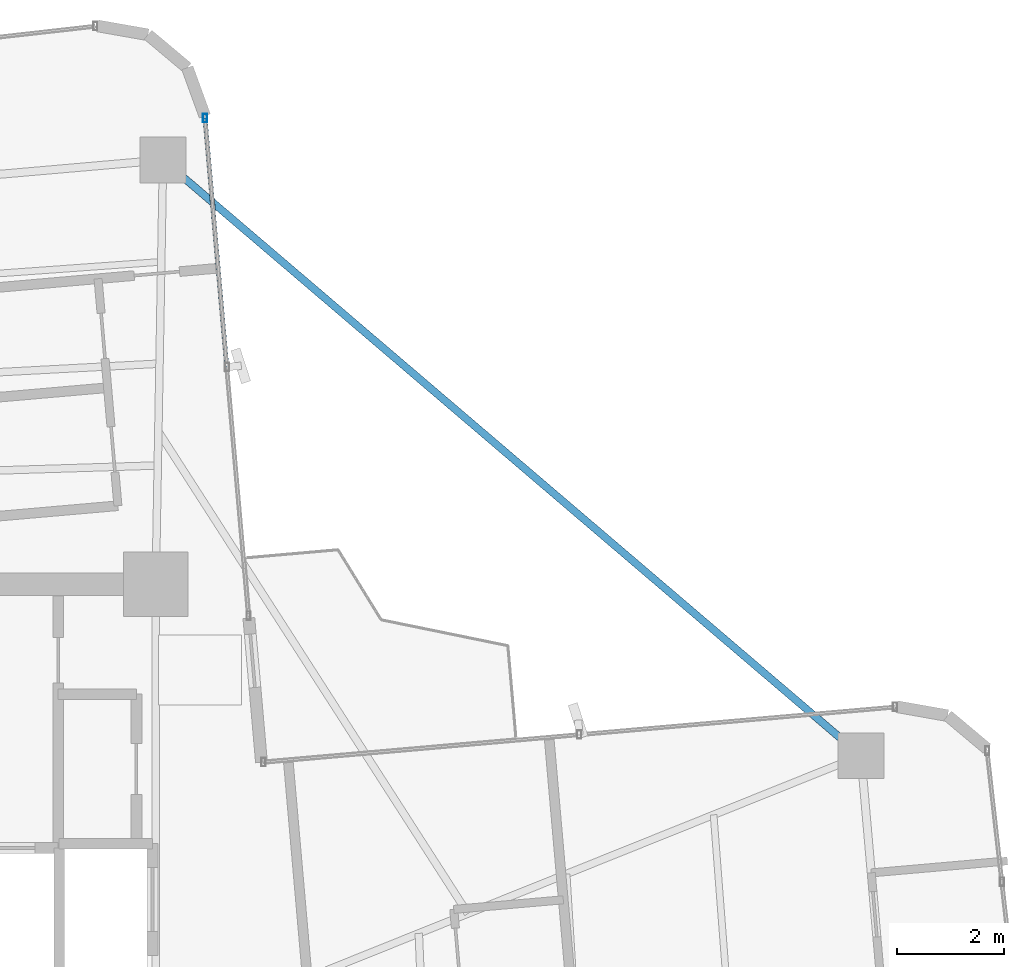
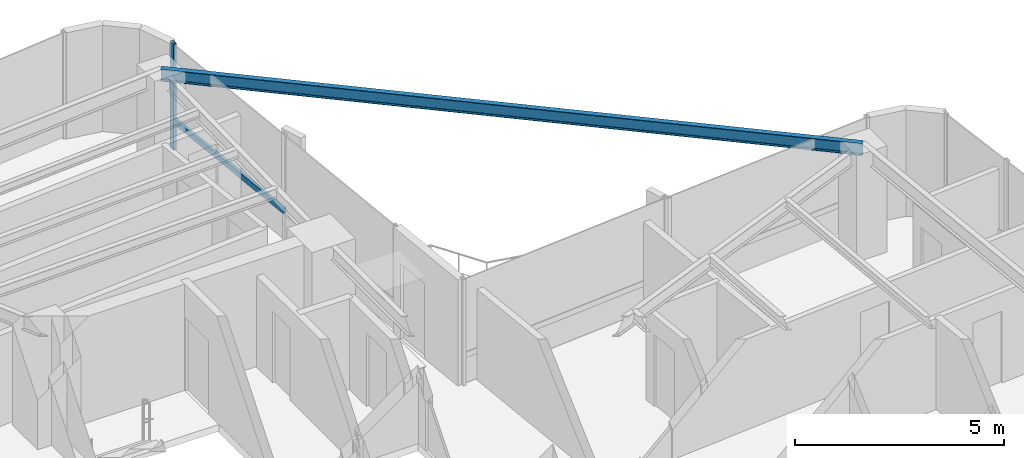
# One storey, part 17 of 24: 2 members, 1 beam, 1 element without a shape of its own.
"""IFC4 building model written with IfcOpenShell, lengths in metres."""

import ifcopenshell
import ifcopenshell.guid

model = None  # the IFC model being written
_history = None  # IfcOwnerHistory: only IFC2X3 demands one
_inside = {}  # id of a spatial element -> (the spatial element, [elements in it])
_under = {}  # id of a project, library or spatial element -> (it, [spatial elements below it])
_declared = {}  # id of a project -> (the project, [libraries it declares])
_typed = {}  # id of a type object -> (the type object, [elements of that type])
_made_of = {}  # id of a material, layer set ... -> (it, [elements and type objects made of it])


def new_model(schema):
    """Start an empty IFC model of exactly this schema.

    Asked for "IFC4X3", IfcOpenShell would pick the latest addendum, in which some entities
    have other attributes; the version numbers below select the first issue.
    IFC2X3 requires an IfcOwnerHistory on every rooted entity: one is made here for all.
    """
    global model, _history
    if schema == "IFC4X3":
        model = ifcopenshell.file(schema_version=(4, 3, 0, 0))
    else:
        model = ifcopenshell.file(schema=schema)
    _inside.clear()
    _under.clear()
    _declared.clear()
    _typed.clear()
    _made_of.clear()
    _history = None
    if model.schema == "IFC2X3":
        org = make("IfcOrganization", Name="unknown")
        user = make(
            "IfcPersonAndOrganization",
            ThePerson=make("IfcPerson", FamilyName="unknown"),
            TheOrganization=org,
        )
        app = make(
            "IfcApplication",
            ApplicationDeveloper=org,
            Version="unknown",
            ApplicationFullName="unknown",
            ApplicationIdentifier="unknown",
        )
        _history = make(
            "IfcOwnerHistory",
            OwningUser=user,
            OwningApplication=app,
            ChangeAction="ADDED",
            CreationDate=0,
        )
    return model


def make(cls, **values):
    """One entity of the class cls with the attributes given. An attribute that is None is left unset."""
    return model.create_entity(
        cls, **{name: value for name, value in values.items() if value is not None}
    )


def rooted(cls, **values):
    """An entity with a GlobalId (a new one), such as an element, a storey or a relation."""
    return make(cls, GlobalId=ifcopenshell.guid.new(), OwnerHistory=_history, **values)


def si_unit(unit_type, name, prefix=None):
    """IfcSIUnit, for example si_unit("LENGTHUNIT", "METRE", prefix="MILLI")."""
    return make("IfcSIUnit", UnitType=unit_type, Prefix=prefix, Name=name)


def assignment(units):
    """IfcUnitAssignment: the units of a project."""
    return None if units is None else make("IfcUnitAssignment", Units=units)


def point(xyz):
    """IfcCartesianPoint."""
    return None if xyz is None else make("IfcCartesianPoint", Coordinates=xyz)


def direction(xyz):
    """IfcDirection."""
    return None if xyz is None else make("IfcDirection", DirectionRatios=xyz)


def frame(location, z_axis=None, x_axis=None):
    """IfcAxis2Placement3D, a coordinate frame: its origin and axes. An axis left out is left unset."""
    return make(
        "IfcAxis2Placement3D",
        Location=point(location),
        Axis=direction(z_axis),
        RefDirection=direction(x_axis),
    )


def frame_2d(location, x_axis=None):
    """IfcAxis2Placement2D, a coordinate frame in the plane: its origin and x axis."""
    return make(
        "IfcAxis2Placement2D", Location=point(location), RefDirection=direction(x_axis)
    )


def origin():
    """The frame at (0, 0, 0) with its axes left unset."""
    return frame((0.0, 0.0, 0.0))


def origin_2d():
    """The frame at (0, 0) in the plane with its x axis left unset."""
    return frame_2d((0.0, 0.0))


def place(relative_to, where):
    """IfcLocalPlacement: puts the frame where relative to a parent placement (None: the world)."""
    return make(
        "IfcLocalPlacement", PlacementRelTo=relative_to, RelativePlacement=where
    )


def context(
    kind, dimensions, precision=None, world=None, true_north=None, identifier=None
):
    """IfcGeometricRepresentationContext, for example the 3D "Model" context."""
    return make(
        "IfcGeometricRepresentationContext",
        ContextIdentifier=identifier,
        ContextType=kind,
        CoordinateSpaceDimension=dimensions,
        Precision=precision,
        WorldCoordinateSystem=world,
        TrueNorth=true_north,
    )


def subcontext(parent, identifier, kind, view, scale=None):
    """IfcGeometricRepresentationSubContext, for example "Body" below "Model"."""
    return make(
        "IfcGeometricRepresentationSubContext",
        ContextIdentifier=identifier,
        ContextType=kind,
        ParentContext=parent,
        TargetScale=scale,
        TargetView=view,
    )


def project(units=None, contexts=None):
    """IfcProject with its units and contexts."""
    return rooted(
        "IfcProject",
        Name="project",
        RepresentationContexts=contexts,
        UnitsInContext=assignment(units),
    )


def spatial(cls, under=None, at=None, **own):
    """A site, building, storey or space (cls), placed at a placement, below another one or the project."""
    s = rooted(cls, ObjectPlacement=at, **own)
    if under is not None:
        _under.setdefault(under.id(), (under, []))[1].append(s)
    return s


def profile(cls, at=None, kind="AREA", **sizes):
    """A parametric profile (cls). Its sizes go by their IFC names, for example OverallWidth=200.0."""
    return make(cls, ProfileType=kind, Position=at, **sizes)


def hollow_rectangle(**sizes):
    """IfcRectangleHollowProfileDef."""
    return profile("IfcRectangleHollowProfileDef", **sizes)


def i_section(**sizes):
    """IfcIShapeProfileDef."""
    return profile("IfcIShapeProfileDef", **sizes)


def extrude(swept, where, along, depth):
    """IfcExtrudedAreaSolid: the profile swept, set in the frame where, extruded along a direction by depth."""
    return make(
        "IfcExtrudedAreaSolid",
        SweptArea=swept,
        Position=where,
        ExtrudedDirection=direction(along),
        Depth=depth,
    )


def shape(context_of_items, identifier, shape_type, items):
    """IfcShapeRepresentation: the items that make up one representation, for example the "Body"."""
    return make(
        "IfcShapeRepresentation",
        ContextOfItems=context_of_items,
        RepresentationIdentifier=identifier,
        RepresentationType=shape_type,
        Items=items,
    )


def source(mapping_origin, context_of_items, identifier, shape_type, items):
    """IfcRepresentationMap: a shape defined once, which mapped items show again and again."""
    return make(
        "IfcRepresentationMap",
        MappingOrigin=mapping_origin,
        MappedRepresentation=shape(context_of_items, identifier, shape_type, items),
    )


def transform(
    local_origin,
    x_axis=None,
    y_axis=None,
    z_axis=None,
    scale=None,
    scale2=None,
    scale3=None,
    uniform=True,
):
    """IfcCartesianTransformationOperator3D, or its non-uniform kind. x_axis, y_axis, z_axis: its Axis1, 2, 3."""
    if uniform:
        return make(
            "IfcCartesianTransformationOperator3D",
            Axis1=direction(x_axis),
            Axis2=direction(y_axis),
            LocalOrigin=point(local_origin),
            Scale=scale,
            Axis3=direction(z_axis),
        )
    return make(
        "IfcCartesianTransformationOperator3DnonUniform",
        Axis1=direction(x_axis),
        Axis2=direction(y_axis),
        LocalOrigin=point(local_origin),
        Scale=scale,
        Axis3=direction(z_axis),
        Scale2=scale2,
        Scale3=scale3,
    )


def mapped(mapping_source, mapping_target):
    """IfcMappedItem: shows the shape of a source again, moved by a transform."""
    return make(
        "IfcMappedItem", MappingSource=mapping_source, MappingTarget=mapping_target
    )


def material(Name=None, Category=None):
    """IfcMaterial."""
    return make("IfcMaterial", Name=Name, Category=Category)


def material_profile(
    of_material, cross_section, Name=None, Category=None, Priority=None
):
    """IfcMaterialProfile: a cross section and its material."""
    return make(
        "IfcMaterialProfile",
        Name=Name,
        Material=of_material,
        Profile=cross_section,
        Priority=Priority,
        Category=Category,
    )


def profile_set(profiles, Name=None, composite=None):
    """IfcMaterialProfileSet."""
    return make(
        "IfcMaterialProfileSet",
        Name=Name,
        MaterialProfiles=profiles,
        CompositeProfile=composite,
    )


def made_of(thing, what):
    """Note that an element or type object is made of a material, layer set ...; save() writes the relation."""
    if what is not None:
        _made_of.setdefault(what.id(), (what, []))[1].append(thing)
    return thing


def type_object(cls, material=None, **own):
    """A type object (cls), such as IfcWallType, which elements share."""
    return made_of(rooted(cls, **own), material)


def element(
    cls,
    number,
    at=None,
    inside=None,
    cuts=None,
    type_object=None,
    material=None,
    context=None,
    identifier="Body",
    shape_type=None,
    held_by="IfcProductDefinitionShape",
    body=None,
    shapes=None,
    **own,
):
    """One element of the class cls, such as IfcWall. Its Tag is "e" and its number.

    at: its placement. inside: the storey or other place that contains it. cuts: it is an
    opening in that element (IfcRelVoidsElement). A single representation is given by context,
    identifier, shape_type and body (its items); several are given by shapes. held_by: the class
    of the entity that holds the representations. save() writes the other relations.
    """
    e = rooted(cls, Tag="e%d" % number, ObjectPlacement=at, **own)
    if body is not None:
        shapes = [shape(context, identifier, shape_type, body)]
    if shapes is not None:
        e.Representation = make(held_by, Representations=shapes)
    if inside is not None:
        _inside.setdefault(inside.id(), (inside, []))[1].append(e)
    if cuts is not None:
        rooted(
            "IfcRelVoidsElement", RelatingBuildingElement=cuts, RelatedOpeningElement=e
        )
    if type_object is not None:
        _typed.setdefault(type_object.id(), (type_object, []))[1].append(e)
    return made_of(e, material)


def aggregate(whole, parts):
    """IfcRelAggregates: a whole, such as a stair, and the parts it consists of."""
    return rooted("IfcRelAggregates", RelatingObject=whole, RelatedObjects=parts)


def save(model, path):
    """Write the relations noted so far, then the file.

    IfcRelAggregates (storeys below a building ...), IfcRelContainedInSpatialStructure (elements
    in a storey), IfcRelDefinesByType, IfcRelAssociatesMaterial and IfcRelDeclares: one each for
    every whole, place, type object, material and project.
    """
    for whole, parts in _under.values():
        aggregate(whole, parts)
    for where, things in _inside.values():
        rooted(
            "IfcRelContainedInSpatialStructure",
            RelatedElements=things,
            RelatingStructure=where,
        )
    for kind, things in _typed.values():
        rooted("IfcRelDefinesByType", RelatedObjects=things, RelatingType=kind)
    for what, things in _made_of.values():
        rooted("IfcRelAssociatesMaterial", RelatedObjects=things, RelatingMaterial=what)
    for by, libraries in _declared.values():
        rooted("IfcRelDeclares", RelatingContext=by, RelatedDefinitions=libraries)
    model.write(path)


model = new_model("IFC4")

# Units and contexts
model_context = context("Model", 3, precision=1e-05, world=origin(), true_north=direction((0.0, 1.0)))
body_context = subcontext(model_context, "Body", "Model", "MODEL_VIEW")
ifc_project = project(units=[si_unit("LENGTHUNIT", "METRE"), si_unit("AREAUNIT", "SQUARE_METRE"), si_unit("VOLUMEUNIT", "CUBIC_METRE"), si_unit("PLANEANGLEUNIT", "RADIAN"), si_unit("MASSUNIT", "GRAM", prefix="KILO")], contexts=[model_context])

# Site, building, storey
site_placement = place(None, origin())
site = spatial("IfcSite", under=ifc_project, at=site_placement, CompositionType="ELEMENT")
building_placement = place(site_placement, origin())
building = spatial("IfcBuilding", under=site, at=building_placement, Name="Sahyath Konkavel Grand Hotel", CompositionType="ELEMENT")
storey_placement = place(building_placement, frame((0.0, 0.0, 188.60009765625)))
storey = spatial("IfcBuildingStorey", under=building, at=storey_placement, Name="L52", CompositionType="ELEMENT", Elevation=188.60009765625)

# Beam
ifc_material_1 = material(Name="Steel E350", Category="steel")
ifc_material_profile_1 = material_profile(ifc_material_1, i_section(OverallWidth=0.139892578125, OverallDepth=0.35009765625, WebThickness=0.008056640625, FlangeThickness=0.01416015625, FilletRadius=0.013916015625, at=origin_2d()), Name="ISMB 350")
ifc_profile_set_1 = profile_set([ifc_material_profile_1], Name="Steel E350")
beam_type = type_object("IfcBeamType", Name="BM-ISMB350", PredefinedType="BEAM", material=ifc_profile_set_1)
shared_shape_1 = source(origin(), body_context, "Body", "SweptSolid", [
    extrude(i_section(OverallWidth=0.139892578125, OverallDepth=0.35009765625, WebThickness=0.008056640625, FlangeThickness=0.01416015625, FilletRadius=0.013916015625, at=origin_2d()), origin(), (0.0, 0.0, 1.0), 17.11279296875),
])
beam_placement = place(storey_placement, frame((16.9541015625, 7.00439453125, 2.934814453125), z_axis=(-0.760711911164, 0.649089661151, 0.0), x_axis=(-0.649089661151, -0.760711911164, 0.0)))
element("IfcBeam", 1, at=beam_placement, inside=storey, type_object=beam_type, Name="L52 Re-Entrant Tie Beam NE", PredefinedType="BEAM", context=body_context, shape_type="MappedRepresentation", body=[
    mapped(shared_shape_1, transform((0.0, 0.0, 0.0), scale=1.0)),
])

# Curtain wall, members
ifc_material_2 = material(Name="Anodised Bronze Aluminium & Low-E Glazing", Category="aluminium")
curtain_wall_type = type_object("IfcCurtainWallType", Name="CW-ZONE3", PredefinedType="NOTDEFINED", material=ifc_material_2)
curtain_wall_placement = place(storey_placement, origin())
curtain_wall = element("IfcCurtainWall", 2, at=curtain_wall_placement, inside=storey, type_object=curtain_wall_type, Name="L52 Unitised Curtain Wall F8", PredefinedType="NOTDEFINED")
ifc_material_3 = material(Name="Anodised Bronze Aluminium", Category="aluminium")
ifc_material_profile_2 = material_profile(ifc_material_3, hollow_rectangle(XDim=0.080078125, YDim=0.159912109375, WallThickness=0.006103515625, at=origin_2d()), Name="RHS 160x80x6")
ifc_profile_set_2 = profile_set([ifc_material_profile_2], Name="Anodised Bronze Aluminium")
member_type_1 = type_object("IfcMemberType", Name="CW-MUL-160", PredefinedType="MULLION", material=ifc_profile_set_2)
shared_shape_2 = source(origin(), body_context, "Body", "SweptSolid", [
    extrude(hollow_rectangle(XDim=0.080078125, YDim=0.159912109375, WallThickness=0.006103515625, at=origin_2d()), origin(), (0.0, 0.0, 1.0), 3.10986328125),
])
member_1_placement = place(storey_placement, frame((4.72119140625, 18.893310546875, 0.0), z_axis=(0.0, 0.0, 1.0), x_axis=(1.0, 0.0, 0.0)))
member_1 = element("IfcMember", 3, at=member_1_placement, type_object=member_type_1, Name="L52 Curtain Wall Mullion F8-2", PredefinedType="MULLION", context=body_context, shape_type="MappedRepresentation", body=[
    mapped(shared_shape_2, transform((0.0, 0.0, 0.0), scale=1.0)),
])
ifc_material_profile_3 = material_profile(ifc_material_3, hollow_rectangle(XDim=0.080078125, YDim=0.159912109375, WallThickness=0.006103515625, at=origin_2d()), Name="RHS 160x80x6")
ifc_profile_set_3 = profile_set([ifc_material_profile_3], Name="Anodised Bronze Aluminium")
member_type_2 = type_object("IfcMemberType", Name="CW-TRN-160", PredefinedType="USERDEFINED", material=ifc_profile_set_3)
shared_shape_3 = source(origin(), body_context, "Body", "SweptSolid", [
    extrude(hollow_rectangle(XDim=0.080078125, YDim=0.159912109375, WallThickness=0.006103515625, at=origin_2d()), origin(), (0.0, 0.0, 1.0), 4.659912109375),
])
member_2_placement = place(storey_placement, frame((5.12744140625, 14.251220703125, 0.849853515625), z_axis=(-0.087181248758, 0.996192466276, 0.0), x_axis=(-0.996192466276, -0.087181248758, 0.0)))
member_2 = element("IfcMember", 4, at=member_2_placement, type_object=member_type_2, Name="L52 Curtain Wall Transom F8-1-spandrel", ObjectType="TRANSOM", PredefinedType="USERDEFINED", context=body_context, shape_type="MappedRepresentation", body=[
    mapped(shared_shape_3, transform((0.0, 0.0, 0.0), scale=1.0)),
])
aggregate(curtain_wall, [member_1, member_2])

save(model, "model.ifc")
